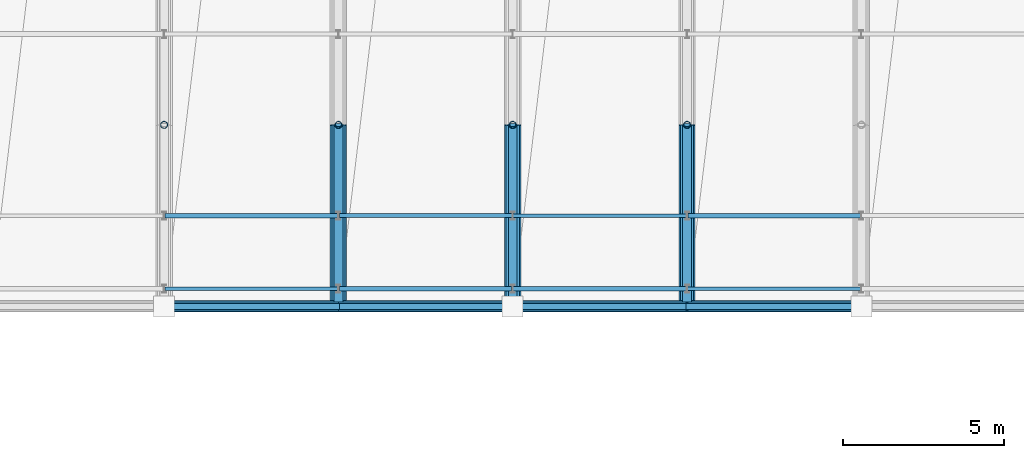
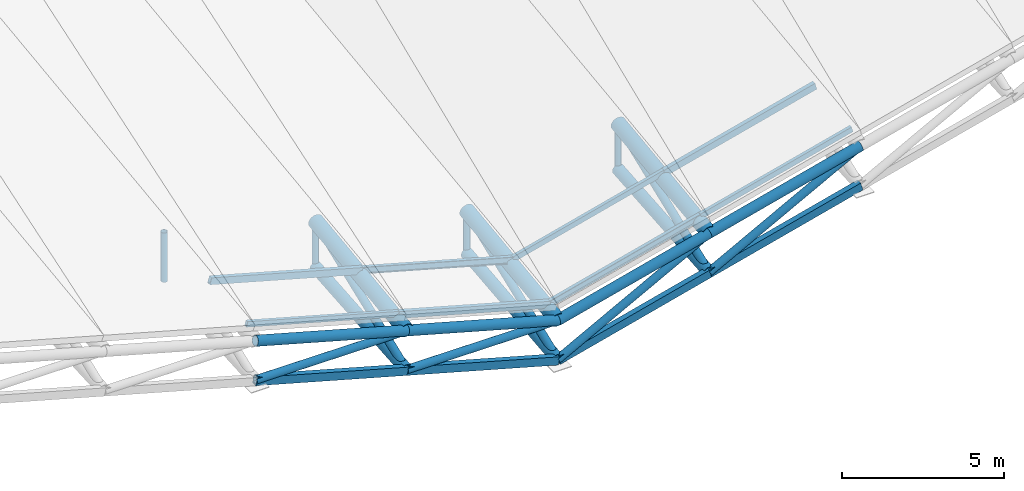
# One storey, part 4 of 109: 27 members, 6 beams.
"""IFC4 building model written with IfcOpenShell, lengths in metres."""

from ifc_helpers import new_model, si_unit, direction, frame, origin, origin_2d, place, context, subcontext, project, spatial, hollow_rectangle, hollow_circle, i_section, extrude, material, material_profile, profile_set, type_object, element, save


model = new_model("IFC4")

# Units and contexts
model_context = context("Model", 3, precision=1e-05, world=origin(), true_north=direction((0.0, 1.0)))
body_context = subcontext(model_context, "Body", "Model", "MODEL_VIEW")
ifc_project = project(units=[si_unit("LENGTHUNIT", "METRE"), si_unit("AREAUNIT", "SQUARE_METRE"), si_unit("VOLUMEUNIT", "CUBIC_METRE"), si_unit("PLANEANGLEUNIT", "RADIAN"), si_unit("MASSUNIT", "GRAM", prefix="KILO")], contexts=[model_context])

# Site, building, storey
site_placement = place(None, origin())
site = spatial("IfcSite", under=ifc_project, at=site_placement, CompositionType="ELEMENT")
building_placement = place(site_placement, origin())
building = spatial("IfcBuilding", under=site, at=building_placement, Name="Suirenkawa Promenade Aquatics Centre", CompositionType="ELEMENT")
storey_placement = place(building_placement, frame((0.0, 0.0, 22.800048828125)))
storey = spatial("IfcBuildingStorey", under=building, at=storey_placement, Name="ROOF", CompositionType="ELEMENT", Elevation=22.800048828125)

# Beams
ifc_material = material(Name="Steel IS 2062 E350 (Grade 350)", Category="steel")
ifc_material_profile_1 = material_profile(ifc_material, hollow_circle(Radius=0.202880859375, WallThickness=0.01806640625, at=origin_2d()), Name="CHS 406x18", Category="steel")
ifc_profile_set_1 = profile_set([ifc_material_profile_1], Name="Steel IS 2062 E350 (Grade 350)")
beam_type_1 = type_object("IfcBeamType", Name="BT-BC-CHS406", PredefinedType="BEAM", material=ifc_profile_set_1)
beam_1_placement = place(storey_placement, frame((84.60009765625, 50.39990234375, -14.97998046875), z_axis=(0.0, 0.996499069884, 0.083603849917), x_axis=(-1.0, 0.0, 0.0)))
element("IfcBeam", 1, at=beam_1_placement, inside=storey, type_object=beam_type_1, Name="ROOF TRUSS V1 bottom chord BC-01 BM-2004", PredefinedType="BEAM", context=body_context, shape_type="SweptSolid", body=[
    extrude(hollow_circle(Radius=0.202880859375, WallThickness=0.01806640625, at=origin_2d()), origin(), (0.0, 0.0, 1.0), 5.644775390625),
])
beam_2_placement = place(storey_placement, frame((90.0, 50.39990234375, -16.47998046875), z_axis=(0.0, 0.994361931266, 0.106039377826), x_axis=(-1.0, 0.0, 0.0)))
element("IfcBeam", 2, at=beam_2_placement, inside=storey, type_object=beam_type_1, Name="ROOF TRUSS V1 bottom chord BC-01 BM-2032", PredefinedType="BEAM", context=body_context, shape_type="SweptSolid", body=[
    extrude(hollow_circle(Radius=0.202880859375, WallThickness=0.01806640625, at=origin_2d()), origin(), (0.0, 0.0, 1.0), 5.656982421875),
])
beam_3_placement = place(storey_placement, frame((95.39990234375, 50.39990234375, -15.080078125), z_axis=(0.0, 0.996364499948, 0.085192624345), x_axis=(-1.0, 0.0, 0.0)))
element("IfcBeam", 3, at=beam_3_placement, inside=storey, type_object=beam_type_1, Name="ROOF TRUSS V1 bottom chord BC-01 BM-2060", PredefinedType="BEAM", context=body_context, shape_type="SweptSolid", body=[
    extrude(hollow_circle(Radius=0.202880859375, WallThickness=0.01806640625, at=origin_2d()), origin(), (0.0, 0.0, 1.0), 5.6455078125),
])
ifc_material_profile_2 = material_profile(ifc_material, hollow_circle(Radius=0.25390625, WallThickness=0.02392578125, at=origin_2d()), Name="CHS 508x24", Category="steel")
ifc_profile_set_2 = profile_set([ifc_material_profile_2], Name="Steel IS 2062 E350 (Grade 350)")
beam_type_2 = type_object("IfcBeamType", Name="BT-TC-CHS508", PredefinedType="BEAM", material=ifc_profile_set_2)
for number, where, z_axis, x_axis, name in (
    (4, (84.60009765625, 50.39990234375, -13.5), (0.0, 0.991799178012, 0.127806065951), (-1.0, 0.0, 0.0), "ROOF TRUSS V1 top chord TC-02 BM-2003"),
    (5, (90.0, 50.39990234375, -15.0), (0.0, 0.991799178012, 0.127806065951), (-1.0, 0.0, 0.0), "ROOF TRUSS V1 top chord TC-02 BM-2031"),
    (6, (95.39990234375, 50.39990234375, -13.60009765625), (0.0, 0.991793720609, 0.127848409297), (-1.0, 0.0, 0.0), "ROOF TRUSS V1 top chord TC-02 BM-2059"),
):
    element("IfcBeam", number, at=place(storey_placement, frame(where, z_axis=z_axis, x_axis=x_axis)), inside=storey, type_object=beam_type_2, Name=name, PredefinedType="BEAM", context=body_context, shape_type="SweptSolid", body=[
        extrude(hollow_circle(Radius=0.25390625, WallThickness=0.02392578125, at=origin_2d()), origin(), (0.0, 0.0, 1.0), 5.671630859375),
    ])

# Members
ifc_material_profile_3 = material_profile(ifc_material, hollow_circle(Radius=0.177978515625, WallThickness=0.01611328125, at=origin_2d()), Name="CHS 356x16", Category="steel")
ifc_profile_set_3 = profile_set([ifc_material_profile_3], Name="Steel IS 2062 E350 (Grade 350)")
member_type_1 = type_object("IfcMemberType", Name="MT-CHORD-CHS356", PredefinedType="CHORD", material=ifc_profile_set_3)
member_1_placement = place(storey_placement, frame((79.199951171875, 50.39990234375, -12.0), z_axis=(0.963519781844, 0.0, -0.267637123724), x_axis=(0.0, 1.0, 0.0)))
element("IfcMember", 7, at=member_1_placement, inside=storey, type_object=member_type_1, Name="ROOF TRUSS V1 eave top chord CH-02 MB-0586", PredefinedType="CHORD", context=body_context, shape_type="SweptSolid", body=[
    extrude(hollow_circle(Radius=0.177978515625, WallThickness=0.01611328125, at=origin_2d()), origin(), (0.0, 0.0, 1.0), 5.6044921875),
])
member_2_placement = place(storey_placement, frame((84.60009765625, 50.39990234375, -13.5), z_axis=(0.963516661409, 0.0, -0.267648357342), x_axis=(0.0, 1.0, 0.0)))
element("IfcMember", 8, at=member_2_placement, inside=storey, type_object=member_type_1, Name="ROOF TRUSS V1 eave top chord CH-02 MB-0589", PredefinedType="CHORD", context=body_context, shape_type="SweptSolid", body=[
    extrude(hollow_circle(Radius=0.177978515625, WallThickness=0.01611328125, at=origin_2d()), origin(), (0.0, 0.0, 1.0), 5.604248046875),
])
member_3_placement = place(storey_placement, frame((90.0, 50.39990234375, -15.0), z_axis=(0.968000048288, 0.0, 0.250950007997), x_axis=(0.0, 1.0, 0.0)))
element("IfcMember", 9, at=member_3_placement, inside=storey, type_object=member_type_1, Name="ROOF TRUSS V1 eave top chord CH-02 MB-0592", PredefinedType="CHORD", context=body_context, shape_type="SweptSolid", body=[
    extrude(hollow_circle(Radius=0.177978515625, WallThickness=0.01611328125, at=origin_2d()), origin(), (0.0, 0.0, 1.0), 5.578369140625),
])
member_4_placement = place(storey_placement, frame((95.39990234375, 50.39990234375, -13.60009765625), z_axis=(0.967992172948, 0.0, 0.250980383917), x_axis=(0.0, 1.0, 0.0)))
element("IfcMember", 10, at=member_4_placement, inside=storey, type_object=member_type_1, Name="ROOF TRUSS V1 eave top chord CH-02 MB-0595", PredefinedType="CHORD", context=body_context, shape_type="SweptSolid", body=[
    extrude(hollow_circle(Radius=0.177978515625, WallThickness=0.01611328125, at=origin_2d()), origin(), (0.0, 0.0, 1.0), 5.57861328125),
])
ifc_material_profile_4 = material_profile(ifc_material, hollow_rectangle(XDim=0.199951171875, YDim=0.300048828125, WallThickness=0.011962890625, at=origin_2d()), Name="RHS 300x200x12", Category="steel")
ifc_profile_set_4 = profile_set([ifc_material_profile_4], Name="Steel IS 2062 E350 (Grade 350)")
member_type_2 = type_object("IfcMemberType", Name="MT-CHORD-RHS300", PredefinedType="CHORD", material=ifc_profile_set_4)
member_5_placement = place(storey_placement, frame((79.199951171875, 50.39990234375, -13.47998046875), z_axis=(0.963519781844, 0.0, -0.267637123724), x_axis=(0.0, 1.0, 0.0)))
element("IfcMember", 11, at=member_5_placement, inside=storey, type_object=member_type_2, Name="ROOF TRUSS V1 eave bottom chord CH-03 MB-0587", PredefinedType="CHORD", context=body_context, shape_type="SweptSolid", body=[
    extrude(hollow_rectangle(XDim=0.199951171875, YDim=0.300048828125, WallThickness=0.011962890625, at=origin_2d()), origin(), (0.0, 0.0, 1.0), 5.6044921875),
])
member_6_placement = place(storey_placement, frame((84.60009765625, 50.39990234375, -14.97998046875), z_axis=(0.963516661409, 0.0, -0.267648357342), x_axis=(0.0, 1.0, 0.0)))
element("IfcMember", 12, at=member_6_placement, inside=storey, type_object=member_type_2, Name="ROOF TRUSS V1 eave bottom chord CH-03 MB-0590", PredefinedType="CHORD", context=body_context, shape_type="SweptSolid", body=[
    extrude(hollow_rectangle(XDim=0.199951171875, YDim=0.300048828125, WallThickness=0.011962890625, at=origin_2d()), origin(), (0.0, 0.0, 1.0), 5.604248046875),
])
member_7_placement = place(storey_placement, frame((90.0, 50.39990234375, -16.47998046875), z_axis=(0.968000048288, 0.0, 0.250950007997), x_axis=(0.0, 1.0, 0.0)))
element("IfcMember", 13, at=member_7_placement, inside=storey, type_object=member_type_2, Name="ROOF TRUSS V1 eave bottom chord CH-03 MB-0593", PredefinedType="CHORD", context=body_context, shape_type="SweptSolid", body=[
    extrude(hollow_rectangle(XDim=0.199951171875, YDim=0.300048828125, WallThickness=0.011962890625, at=origin_2d()), origin(), (0.0, 0.0, 1.0), 5.578369140625),
])
member_8_placement = place(storey_placement, frame((95.39990234375, 50.39990234375, -15.080078125), z_axis=(0.967992172948, 0.0, 0.250980383917), x_axis=(0.0, 1.0, 0.0)))
element("IfcMember", 14, at=member_8_placement, inside=storey, type_object=member_type_2, Name="ROOF TRUSS V1 eave bottom chord CH-03 MB-0596", PredefinedType="CHORD", context=body_context, shape_type="SweptSolid", body=[
    extrude(hollow_rectangle(XDim=0.199951171875, YDim=0.300048828125, WallThickness=0.011962890625, at=origin_2d()), origin(), (0.0, 0.0, 1.0), 5.57861328125),
])
ifc_material_profile_5 = material_profile(ifc_material, i_section(OverallWidth=0.125, OverallDepth=0.25, WebThickness=0.007080078125, FlangeThickness=0.012939453125, at=origin_2d()), Name="ISMB 250", Category="steel")
ifc_profile_set_5 = profile_set([ifc_material_profile_5], Name="Steel IS 2062 E350 (Grade 350)")
member_type_3 = type_object("IfcMemberType", Name="MT-PURLIN-ISMB250", PredefinedType="PURLIN", material=ifc_profile_set_5)
member_9_placement = place(storey_placement, frame((84.60009765625, 53.2119140625, -12.9169921875), z_axis=(0.963516661409, 0.0, -0.267648357342), x_axis=(0.0, 1.0, 0.0)))
element("IfcMember", 15, at=member_9_placement, inside=storey, type_object=member_type_3, Name="ROOF TRUSS Roof purlin PU-04 MB-1941", PredefinedType="PURLIN", context=body_context, shape_type="SweptSolid", body=[
    extrude(i_section(OverallWidth=0.125, OverallDepth=0.25, WebThickness=0.007080078125, FlangeThickness=0.012939453125, at=origin_2d()), origin(), (0.0, 0.0, 1.0), 5.604248046875),
])
member_10_placement = place(storey_placement, frame((90.0, 50.949951171875, -14.7080078125), z_axis=(0.968000048288, 0.0, 0.250950007997), x_axis=(0.0, 1.0, 0.0)))
element("IfcMember", 16, at=member_10_placement, inside=storey, type_object=member_type_3, Name="ROOF TRUSS Roof purlin PU-04 MB-1975", PredefinedType="PURLIN", context=body_context, shape_type="SweptSolid", body=[
    extrude(i_section(OverallWidth=0.125, OverallDepth=0.25, WebThickness=0.007080078125, FlangeThickness=0.012939453125, at=origin_2d()), origin(), (0.0, 0.0, 1.0), 5.578369140625),
])
ifc_material_profile_6 = material_profile(ifc_material, hollow_rectangle(XDim=0.1201171875, YDim=0.199951171875, WallThickness=0.008056640625, at=origin_2d()), Name="RHS 200x120x8", Category="steel")
ifc_profile_set_6 = profile_set([ifc_material_profile_6], Name="Steel IS 2062 E350 (Grade 350)")
member_type_4 = type_object("IfcMemberType", Name="MT-PURLIN-RHS200", PredefinedType="PURLIN", material=ifc_profile_set_6)
member_11_placement = place(storey_placement, frame((79.199951171875, 50.949951171875, -11.68310546875), z_axis=(0.963519781844, 0.0, -0.267637123724), x_axis=(0.0, 1.0, 0.0)))
element("IfcMember", 17, at=member_11_placement, inside=storey, type_object=member_type_4, Name="ROOF TRUSS Roof purlin PU-02 MB-1903", PredefinedType="PURLIN", context=body_context, shape_type="SweptSolid", body=[
    extrude(hollow_rectangle(XDim=0.1201171875, YDim=0.199951171875, WallThickness=0.008056640625, at=origin_2d()), origin(), (0.0, 0.0, 1.0), 5.6044921875),
])
member_12_placement = place(storey_placement, frame((90.0, 53.2119140625, -14.39111328125), z_axis=(0.967989416096, 0.0, 0.250991016426), x_axis=(0.0, 1.0, 0.0)))
element("IfcMember", 18, at=member_12_placement, inside=storey, type_object=member_type_4, Name="ROOF TRUSS Roof purlin PU-02 MB-1977", PredefinedType="PURLIN", context=body_context, shape_type="SweptSolid", body=[
    extrude(hollow_rectangle(XDim=0.1201171875, YDim=0.199951171875, WallThickness=0.008056640625, at=origin_2d()), origin(), (0.0, 0.0, 1.0), 5.578369140625),
])
member_13_placement = place(storey_placement, frame((95.39990234375, 50.949951171875, -13.282958984375), z_axis=(0.96800280427, 0.0, 0.250939376992), x_axis=(0.0, 1.0, 0.0)))
element("IfcMember", 19, at=member_13_placement, inside=storey, type_object=member_type_4, Name="ROOF TRUSS Roof purlin PU-02 MB-2011", PredefinedType="PURLIN", context=body_context, shape_type="SweptSolid", body=[
    extrude(hollow_rectangle(XDim=0.1201171875, YDim=0.199951171875, WallThickness=0.008056640625, at=origin_2d()), origin(), (0.0, 0.0, 1.0), 5.57861328125),
])
ifc_material_profile_7 = material_profile(ifc_material, hollow_rectangle(XDim=0.14990234375, YDim=0.25, WallThickness=0.010009765625, at=origin_2d()), Name="RHS 250x150x10", Category="steel")
ifc_profile_set_7 = profile_set([ifc_material_profile_7], Name="Steel IS 2062 E350 (Grade 350)")
member_type_5 = type_object("IfcMemberType", Name="MT-PURLIN-RHS250", PredefinedType="PURLIN", material=ifc_profile_set_7)
member_14_placement = place(storey_placement, frame((79.199951171875, 53.2119140625, -11.41796875), z_axis=(0.963519781844, 0.0, -0.267637123724), x_axis=(0.0, 1.0, 0.0)))
element("IfcMember", 20, at=member_14_placement, inside=storey, type_object=member_type_5, Name="ROOF TRUSS Roof purlin PU-03 MB-1905", PredefinedType="PURLIN", context=body_context, shape_type="SweptSolid", body=[
    extrude(hollow_rectangle(XDim=0.14990234375, YDim=0.25, WallThickness=0.010009765625, at=origin_2d()), origin(), (0.0, 0.0, 1.0), 5.6044921875),
])
member_15_placement = place(storey_placement, frame((84.60009765625, 50.949951171875, -13.2099609375), z_axis=(0.963516661409, 0.0, -0.267648357342), x_axis=(0.0, 1.0, 0.0)))
element("IfcMember", 21, at=member_15_placement, inside=storey, type_object=member_type_5, Name="ROOF TRUSS Roof purlin PU-03 MB-1939", PredefinedType="PURLIN", context=body_context, shape_type="SweptSolid", body=[
    extrude(hollow_rectangle(XDim=0.14990234375, YDim=0.25, WallThickness=0.010009765625, at=origin_2d()), origin(), (0.0, 0.0, 1.0), 5.604248046875),
])
member_16_placement = place(storey_placement, frame((95.39990234375, 53.2119140625, -13.01806640625), z_axis=(0.96800280427, 0.0, 0.250939376992), x_axis=(0.0, 1.0, 0.0)))
element("IfcMember", 22, at=member_16_placement, inside=storey, type_object=member_type_5, Name="ROOF TRUSS Roof purlin PU-03 MB-2013", PredefinedType="PURLIN", context=body_context, shape_type="SweptSolid", body=[
    extrude(hollow_rectangle(XDim=0.14990234375, YDim=0.25, WallThickness=0.010009765625, at=origin_2d()), origin(), (0.0, 0.0, 1.0), 5.57861328125),
])
ifc_material_profile_8 = material_profile(ifc_material, hollow_circle(Radius=0.110107421875, WallThickness=0.010009765625, at=origin_2d()), Name="CHS 220x10", Category="steel")
ifc_profile_set_8 = profile_set([ifc_material_profile_8], Name="Steel IS 2062 E350 (Grade 350)")
member_type_6 = type_object("IfcMemberType", Name="MT-WEB-CHS220", PredefinedType="BRACE", material=ifc_profile_set_8)
member_17_placement = place(storey_placement, frame((79.199951171875, 56.02490234375, -13.135009765625), z_axis=(0.0, 0.0, 1.0), x_axis=(1.0, 0.0, 0.0)))
element("IfcMember", 23, at=member_17_placement, inside=storey, type_object=member_type_6, Name="ROOF TRUSS V1 web post TD-01 MB-0177", PredefinedType="BRACE", context=body_context, shape_type="SweptSolid", body=[
    extrude(hollow_circle(Radius=0.110107421875, WallThickness=0.010009765625, at=origin_2d()), origin(), (0.0, 0.0, 1.0), 1.85986328125),
])
member_18_placement = place(storey_placement, frame((84.60009765625, 56.02490234375, -14.508056640625), z_axis=(0.0, 0.0, 1.0), x_axis=(1.0, 0.0, 0.0)))
element("IfcMember", 24, at=member_18_placement, inside=storey, type_object=member_type_6, Name="ROOF TRUSS V1 web post TD-01 MB-0204", PredefinedType="BRACE", context=body_context, shape_type="SweptSolid", body=[
    extrude(hollow_circle(Radius=0.110107421875, WallThickness=0.010009765625, at=origin_2d()), origin(), (0.0, 0.0, 1.0), 1.73291015625),
])
member_19_placement = place(storey_placement, frame((90.0, 56.02490234375, -15.880126953125), z_axis=(0.0, 0.0, 1.0), x_axis=(1.0, 0.0, 0.0)))
element("IfcMember", 25, at=member_19_placement, inside=storey, type_object=member_type_6, Name="ROOF TRUSS V1 web post TD-01 MB-0231", PredefinedType="BRACE", context=body_context, shape_type="SweptSolid", body=[
    extrude(hollow_circle(Radius=0.110107421875, WallThickness=0.010009765625, at=origin_2d()), origin(), (0.0, 0.0, 1.0), 1.60498046875),
])
member_20_placement = place(storey_placement, frame((95.39990234375, 56.02490234375, -14.59912109375), z_axis=(0.0, 0.0, 1.0), x_axis=(1.0, 0.0, 0.0)))
element("IfcMember", 26, at=member_20_placement, inside=storey, type_object=member_type_6, Name="ROOF TRUSS V1 web post TD-01 MB-0258", PredefinedType="BRACE", context=body_context, shape_type="SweptSolid", body=[
    extrude(hollow_circle(Radius=0.110107421875, WallThickness=0.010009765625, at=origin_2d()), origin(), (0.0, 0.0, 1.0), 1.72412109375),
])
ifc_material_profile_9 = material_profile(ifc_material, hollow_circle(Radius=0.136962890625, WallThickness=0.011962890625, at=origin_2d()), Name="CHS 274x12", Category="steel")
ifc_profile_set_9 = profile_set([ifc_material_profile_9], Name="Steel IS 2062 E350 (Grade 350)")
member_type_7 = type_object("IfcMemberType", Name="MT-WEB-CHS274", PredefinedType="BRACE", material=ifc_profile_set_9)
for number, where, z_axis, x_axis, name in (
    (27, (84.60009765625, 50.39990234375, -14.97998046875), (0.0, 0.931032164378, 0.364937130056), (-1.0, 0.0, 0.0), "ROOF TRUSS V1 web diagonal TD-02 MB-0190"),
    (28, (90.0, 50.39990234375, -16.47998046875), (0.0, 0.931032164378, 0.364937130056), (-1.0, 0.0, 0.0), "ROOF TRUSS V1 web diagonal TD-02 MB-0217"),
    (29, (95.39990234375, 50.39990234375, -15.080078125), (0.0, 0.931018434098, 0.364972156978), (-1.0, 0.0, 0.0), "ROOF TRUSS V1 web diagonal TD-02 MB-0244"),
):
    element("IfcMember", number, at=place(storey_placement, frame(where, z_axis=z_axis, x_axis=x_axis)), inside=storey, type_object=member_type_7, Name=name, PredefinedType="BRACE", context=body_context, shape_type="SweptSolid", body=[
        extrude(hollow_circle(Radius=0.136962890625, WallThickness=0.011962890625, at=origin_2d()), origin(), (0.0, 0.0, 1.0), 6.041748046875),
    ])
member_21_placement = place(storey_placement, frame((79.199951171875, 50.39990234375, -13.47998046875), z_axis=(0.999993128331, 0.0, -0.003707194562), x_axis=(0.0, 1.0, 0.0)))
element("IfcMember", 30, at=member_21_placement, inside=storey, type_object=member_type_7, Name="ROOF TRUSS V1 eave web diagonal TD-02 MB-0588", PredefinedType="BRACE", context=body_context, shape_type="SweptSolid", body=[
    extrude(hollow_circle(Radius=0.136962890625, WallThickness=0.011962890625, at=origin_2d()), origin(), (0.0, 0.0, 1.0), 5.400146484375),
])
member_22_placement = place(storey_placement, frame((84.60009765625, 50.39990234375, -14.97998046875), z_axis=(0.999993127709, 0.0, -0.00370736217), x_axis=(0.0, 1.0, 0.0)))
element("IfcMember", 31, at=member_22_placement, inside=storey, type_object=member_type_7, Name="ROOF TRUSS V1 eave web diagonal TD-02 MB-0591", PredefinedType="BRACE", context=body_context, shape_type="SweptSolid", body=[
    extrude(hollow_circle(Radius=0.136962890625, WallThickness=0.011962890625, at=origin_2d()), origin(), (0.0, 0.0, 1.0), 5.39990234375),
])
member_23_placement = place(storey_placement, frame((90.0, 50.39990234375, -16.47998046875), z_axis=(0.882357358376, 0.0, 0.470579952952), x_axis=(0.0, 1.0, 0.0)))
element("IfcMember", 32, at=member_23_placement, inside=storey, type_object=member_type_7, Name="ROOF TRUSS V1 eave web diagonal TD-02 MB-0594", PredefinedType="BRACE", context=body_context, shape_type="SweptSolid", body=[
    extrude(hollow_circle(Radius=0.136962890625, WallThickness=0.011962890625, at=origin_2d()), origin(), (0.0, 0.0, 1.0), 6.119873046875),
])
member_24_placement = place(storey_placement, frame((95.39990234375, 50.39990234375, -15.080078125), z_axis=(0.882349628405, 0.0, 0.470594446688), x_axis=(0.0, 1.0, 0.0)))
element("IfcMember", 33, at=member_24_placement, inside=storey, type_object=member_type_7, Name="ROOF TRUSS V1 eave web diagonal TD-02 MB-0597", PredefinedType="BRACE", context=body_context, shape_type="SweptSolid", body=[
    extrude(hollow_circle(Radius=0.136962890625, WallThickness=0.011962890625, at=origin_2d()), origin(), (0.0, 0.0, 1.0), 6.1201171875),
])

save(model, "model.ifc")
